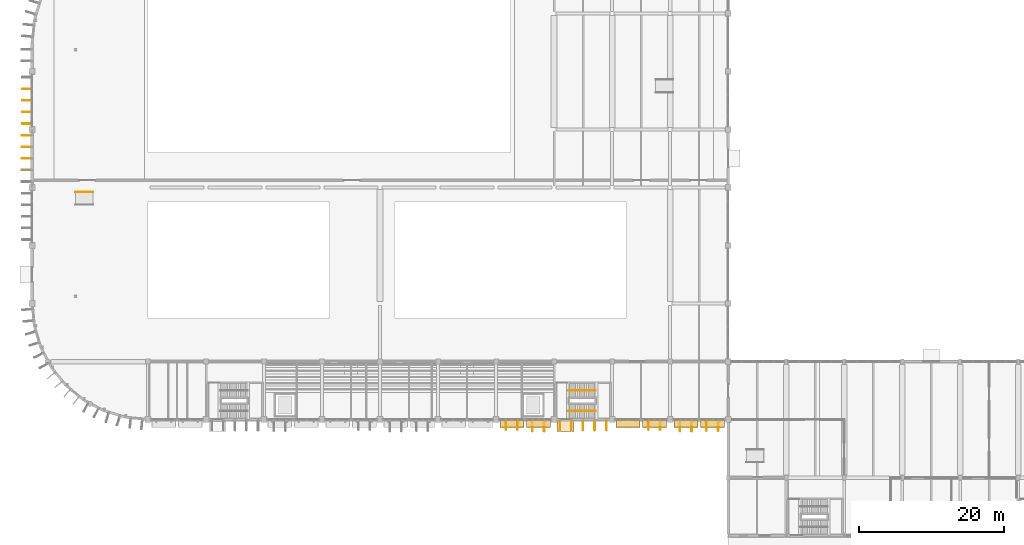
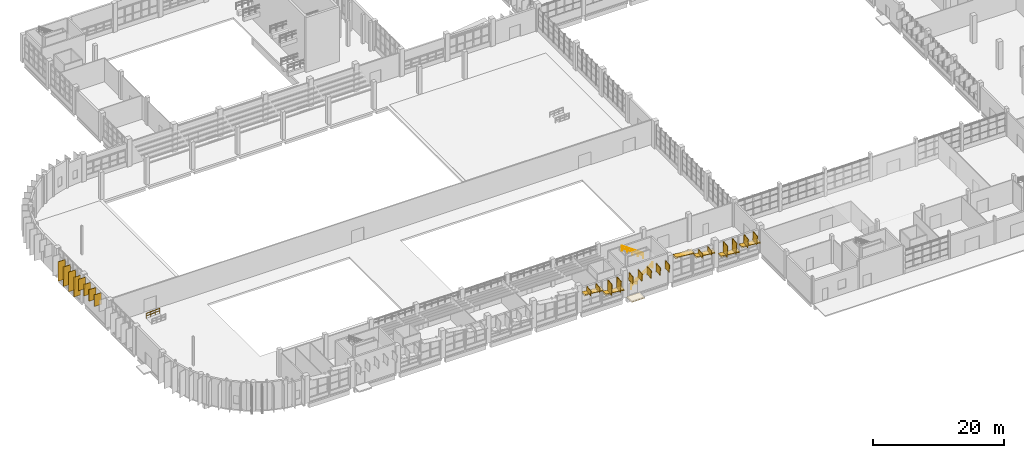
# One storey, part 95 of 103: 30 coverings, 28 shading devices, 3 railings.
"""IFC4 building model written with IfcOpenShell, lengths in metres."""

from ifc_helpers import new_model, si_unit, direction, frame, origin, origin_2d, place, context, subcontext, project, spatial, polyline, rectangle, circle, outline, extrude, material, layer, layer_set, type_object, element, save


model = new_model("IFC4")

# Units and contexts
model_context = context("Model", 3, precision=1e-05, world=origin(), true_north=direction((0.0, 1.0)))
body_context = subcontext(model_context, "Body", "Model", "MODEL_VIEW")
ifc_project = project(units=[si_unit("LENGTHUNIT", "METRE"), si_unit("AREAUNIT", "SQUARE_METRE"), si_unit("VOLUMEUNIT", "CUBIC_METRE"), si_unit("PLANEANGLEUNIT", "RADIAN"), si_unit("MASSUNIT", "GRAM", prefix="KILO")], contexts=[model_context])

# Site, building, storey
site_placement = place(None, origin())
site = spatial("IfcSite", under=ifc_project, at=site_placement, CompositionType="ELEMENT")
building_placement = place(site_placement, origin())
building = spatial("IfcBuilding", under=site, at=building_placement, Name="Drelvana Railside Aquatics Centre", CompositionType="ELEMENT")
storey_placement = place(building_placement, origin())
storey = spatial("IfcBuildingStorey", under=building, at=storey_placement, Name="L00", CompositionType="ELEMENT", Elevation=0.0)

# Coverings
ifc_material_1 = material(Name="Catalan trencadis polychrome ceramic mosaic cladding", Category="masonry")
ifc_layer_1 = layer(ifc_material_1, 0.044921875, Name="Catalan trencadis polychrome ceramic mosaic cladding")
ifc_layer_set_1 = layer_set([ifc_layer_1], Name="Catalan trencadis polychrome ceramic mosaic cladding")
covering_type_1 = type_object("IfcCoveringType", Name="COV-CLAD-TRENCADIS", PredefinedType="CLADDING", material=ifc_layer_set_1)
covering_placement = place(storey_placement, frame((0.0, 0.0, -0.2548828125)))
element("IfcCovering", 1, at=covering_placement, inside=storey, type_object=covering_type_1, Name="Threshold apron bedding trim 002", PredefinedType="CLADDING", context=body_context, shape_type="SweptSolid", body=[
    extrude(outline(polyline([(72.425048828125, 14.344970703125), (74.72509765625, 14.344970703125), (74.72509765625, 15.9951171875), (72.425048828125, 15.9951171875), (72.425048828125, 14.344970703125)])), origin(), (0.0, 0.0, 1.0), 0.044921875),
])
ifc_material_2 = material(Name="Bronze-anodised extruded aluminium 6063-T6", Category="aluminium")
ifc_layer_2 = layer(ifc_material_2, 0.074951171875, Name="Bronze-anodised extruded aluminium 6063-T6")
ifc_layer_set_2 = layer_set([ifc_layer_2], Name="Bronze-anodised extruded aluminium 6063-T6")
covering_type_2 = type_object("IfcCoveringType", Name="COV-EYELID-ALU", PredefinedType="CLADDING", material=ifc_layer_set_2)
for number, where, z_axis, x_axis, name in (
    (2, (66.169921875, 15.46484375, 3.3408203125), (0.0, -0.13052619222, 0.991444861374), (-1.0, 0.0, 0.0), "Sine-wave eyelid brow hood V1S-7.1"),
    (3, (69.830078125, 15.46484375, 2.15283203125), (0.0, -0.13052619222, 0.991444861374), (-1.0, 0.0, 0.0), "Sine-wave eyelid brow hood V1S-7.2"),
    (4, (82.169921875, 15.46484375, 4.6728515625), (0.0, -0.13052619222, 0.991444861374), (-1.0, 0.0, 0.0), "Sine-wave eyelid brow hood V1S-9.1"),
    (5, (85.830078125, 15.46484375, 3.48486328125), (0.0, -0.13052619222, 0.991444861374), (-1.0, 0.0, 0.0), "Sine-wave eyelid brow hood V1S-9.2"),
    (6, (90.169921875, 15.46484375, 2.10888671875), (0.0, -0.13052619222, 0.991444861374), (-1.0, 0.0, 0.0), "Sine-wave eyelid brow hood V1S-10.1"),
    (7, (93.830078125, 15.46484375, 2.56201171875), (0.0, -0.13052619222, 0.991444861374), (-1.0, 0.0, 0.0), "Sine-wave eyelid brow hood V1S-10.2"),
):
    element("IfcCovering", number, at=place(storey_placement, frame(where, z_axis=z_axis, x_axis=x_axis)), inside=storey, type_object=covering_type_2, Name=name, PredefinedType="CLADDING", context=body_context, shape_type="SweptSolid", body=[
        extrude(rectangle(XDim=3.340087890625, YDim=0.949951171875, at=origin_2d()), origin(), (0.0, 0.0, 1.0), 0.074951171875),
    ])
covering_type_3 = type_object("IfcCoveringType", Name="COV-FIN-ALU", PredefinedType="CLADDING", material=ifc_material_2)
for number, where, z_axis, x_axis, name in (
    (8, (65.3701171875, 15.2548828125, 3.33203125), (0.0, -0.13052619222, 0.991444861374), (-1.0, 0.0, 0.0), "Vertical aluminium fin cladding CF-0084"),
    (9, (66.969970703125, 15.2548828125, 3.33203125), (0.0, -0.13052619222, 0.991444861374), (-1.0, 0.0, 0.0), "Vertical aluminium fin cladding CF-0085"),
):
    element("IfcCovering", number, at=place(storey_placement, frame(where, z_axis=z_axis, x_axis=x_axis)), inside=storey, type_object=covering_type_3, Name=name, PredefinedType="CLADDING", context=body_context, shape_type="SweptSolid", body=[
        extrude(rectangle(XDim=0.0849609375, YDim=1.25, at=origin_2d()), origin(), (0.0, 0.0, 1.0), 0.97705078125),
    ])
for number, where, z_axis, x_axis, name in (
    (10, (69.030029296875, 15.255126953125, 2.149169921875), (0.0, -0.13052619222, 0.991444861374), (-1.0, 0.0, 0.0), "Vertical aluminium fin cladding CF-0087"),
    (11, (70.6298828125, 15.255126953125, 2.149169921875), (0.0, -0.13052619222, 0.991444861374), (-1.0, 0.0, 0.0), "Vertical aluminium fin cladding CF-0088"),
):
    element("IfcCovering", number, at=place(storey_placement, frame(where, z_axis=z_axis, x_axis=x_axis)), inside=storey, type_object=covering_type_3, Name=name, PredefinedType="CLADDING", context=body_context, shape_type="SweptSolid", body=[
        extrude(rectangle(XDim=0.0849609375, YDim=1.25, at=origin_2d()), origin(), (0.0, 0.0, 1.0), 2.1650390625),
    ])
for number, where, z_axis, x_axis, name in (
    (12, (72.800048828125, 15.27001953125, 2.85595703125), (0.0, -0.13052619222, 0.991444861374), (-1.0, 0.0, 0.0), "Vertical aluminium fin cladding CF-0100"),
    (13, (74.39990234375, 15.27001953125, 2.85595703125), (0.0, -0.13052619222, 0.991444861374), (-1.0, 0.0, 0.0), "Vertical aluminium fin cladding CF-0101"),
    (14, (76.0, 15.27001953125, 2.85595703125), (0.0, -0.13052619222, 0.991444861374), (-1.0, 0.0, 0.0), "Vertical aluminium fin cladding CF-0102"),
    (15, (77.60009765625, 15.27001953125, 2.85595703125), (0.0, -0.13052619222, 0.991444861374), (-1.0, 0.0, 0.0), "Vertical aluminium fin cladding CF-0103"),
    (16, (79.199951171875, 15.27001953125, 2.85595703125), (0.0, -0.13052619222, 0.991444861374), (-1.0, 0.0, 0.0), "Vertical aluminium fin cladding CF-0104"),
):
    element("IfcCovering", number, at=place(storey_placement, frame(where, z_axis=z_axis, x_axis=x_axis)), inside=storey, type_object=covering_type_3, Name=name, PredefinedType="CLADDING", context=body_context, shape_type="SweptSolid", body=[
        extrude(rectangle(XDim=0.0849609375, YDim=1.25, at=origin_2d()), origin(), (0.0, 0.0, 1.0), 1.455078125),
    ])
for number, where, z_axis, x_axis, name in (
    (17, (85.030029296875, 15.255126953125, 3.4755859375), (0.0, -0.13052619222, 0.991444861374), (-1.0, 0.0, 0.0), "Vertical aluminium fin cladding CF-0116"),
    (18, (86.6298828125, 15.255126953125, 3.4755859375), (0.0, -0.13052619222, 0.991444861374), (-1.0, 0.0, 0.0), "Vertical aluminium fin cladding CF-0117"),
):
    element("IfcCovering", number, at=place(storey_placement, frame(where, z_axis=z_axis, x_axis=x_axis)), inside=storey, type_object=covering_type_3, Name=name, PredefinedType="CLADDING", context=body_context, shape_type="SweptSolid", body=[
        extrude(rectangle(XDim=0.0849609375, YDim=1.25, at=origin_2d()), origin(), (0.0, 0.0, 1.0), 0.8330078125),
    ])
for number, where, z_axis, x_axis, name in (
    (19, (89.3701171875, 15.255126953125, 2.10546875), (0.0, -0.13052619222, 0.991444861374), (-1.0, 0.0, 0.0), "Vertical aluminium fin cladding CF-0129"),
    (20, (90.969970703125, 15.255126953125, 2.10546875), (0.0, -0.13052619222, 0.991444861374), (-1.0, 0.0, 0.0), "Vertical aluminium fin cladding CF-0130"),
):
    element("IfcCovering", number, at=place(storey_placement, frame(where, z_axis=z_axis, x_axis=x_axis)), inside=storey, type_object=covering_type_3, Name=name, PredefinedType="CLADDING", context=body_context, shape_type="SweptSolid", body=[
        extrude(rectangle(XDim=0.0849609375, YDim=1.25, at=origin_2d()), origin(), (0.0, 0.0, 1.0), 2.208984375),
    ])
for number, where, z_axis, x_axis, name in (
    (21, (93.030029296875, 15.2548828125, 2.556396484375), (0.0, -0.13052619222, 0.991444861374), (-1.0, 0.0, 0.0), "Vertical aluminium fin cladding CF-0132"),
    (22, (94.6298828125, 15.2548828125, 2.556396484375), (0.0, -0.13052619222, 0.991444861374), (-1.0, 0.0, 0.0), "Vertical aluminium fin cladding CF-0133"),
):
    element("IfcCovering", number, at=place(storey_placement, frame(where, z_axis=z_axis, x_axis=x_axis)), inside=storey, type_object=covering_type_3, Name=name, PredefinedType="CLADDING", context=body_context, shape_type="SweptSolid", body=[
        extrude(rectangle(XDim=0.0849609375, YDim=1.25, at=origin_2d()), origin(), (0.0, 0.0, 1.0), 1.756103515625),
    ])
for number, where, z_axis, x_axis, name in (
    (23, (-0.77490234375, 50.39990234375, 3.0), (0.0, 0.0, 1.0), (0.0, 1.0, 0.0), "Vertical aluminium fin cladding CF-0226"),
    (24, (-0.77490234375, 52.0, 3.0), (0.0, 0.0, 1.0), (0.0, 1.0, 0.0), "Vertical aluminium fin cladding CF-0227"),
    (25, (-0.77490234375, 53.60009765625, 3.0), (0.0, 0.0, 1.0), (0.0, 1.0, 0.0), "Vertical aluminium fin cladding CF-0228"),
    (26, (-0.77490234375, 55.199951171875, 3.0), (0.0, 0.0, 1.0), (0.0, 1.0, 0.0), "Vertical aluminium fin cladding CF-0229"),
):
    element("IfcCovering", number, at=place(storey_placement, frame(where, z_axis=z_axis, x_axis=x_axis)), inside=storey, type_object=covering_type_3, Name=name, PredefinedType="CLADDING", context=body_context, shape_type="SweptSolid", body=[
        extrude(rectangle(XDim=0.0849609375, YDim=1.25, at=origin_2d()), origin(), (0.0, 0.0, 1.0), 2.14990234375),
    ])
for number, where, z_axis, x_axis, name in (
    (27, (-0.669921875, 56.800048828125, 0.85009765625), (0.0, 0.0, 1.0), (0.0, 1.0, 0.0), "Vertical aluminium fin cladding CF-0245"),
    (28, (-0.669921875, 58.39990234375, 0.85009765625), (0.0, 0.0, 1.0), (0.0, 1.0, 0.0), "Vertical aluminium fin cladding CF-0246"),
    (29, (-0.669921875, 60.0, 0.85009765625), (0.0, 0.0, 1.0), (0.0, 1.0, 0.0), "Vertical aluminium fin cladding CF-0247"),
    (30, (-0.669921875, 61.60009765625, 0.85009765625), (0.0, 0.0, 1.0), (0.0, 1.0, 0.0), "Vertical aluminium fin cladding CF-0248"),
):
    element("IfcCovering", number, at=place(storey_placement, frame(where, z_axis=z_axis, x_axis=x_axis)), inside=storey, type_object=covering_type_3, Name=name, PredefinedType="CLADDING", context=body_context, shape_type="SweptSolid", body=[
        extrude(rectangle(XDim=0.0849609375, YDim=1.25, at=origin_2d()), origin(), (0.0, 0.0, 1.0), 3.64990234375),
    ])

# Railings
ifc_material_3 = material(Name="Brushed stainless steel stair pitch handrail", Category="steel")
railing_type = type_object("IfcRailingType", Name="RAL-HANDRAIL-950", PredefinedType="HANDRAIL", material=ifc_material_3)
railing_1_placement = place(storey_placement, frame((73.969970703125, 17.175048828125, 0.0)))
element("IfcRailing", 31, at=railing_1_placement, inside=storey, type_object=railing_type, Name="Stair ST-02 flight 1 handrail (L00)", PredefinedType="HANDRAIL", context=body_context, shape_type="SweptSolid", body=[
    extrude(circle(Radius=0.02392578125, at=origin_2d()), frame((0.0, 0.0, 0.92578125), z_axis=(0.811539352079, 0.0, 0.584297766578), x_axis=(0.0, 1.0, 0.0)), (0.0, 0.0, 1.0), 4.620849609375),
    extrude(circle(Radius=0.02392578125, at=origin_2d()), frame((0.0, 0.0, 0.47509765625), z_axis=(0.811539352079, 0.0, 0.584297766578), x_axis=(0.0, 1.0, 0.0)), (0.0, 0.0, 1.0), 4.620849609375),
    extrude(circle(Radius=0.02099609375, at=origin_2d()), origin(), (0.0, 0.0, 1.0), 0.90185546875),
    extrude(circle(Radius=0.02099609375, at=origin_2d()), frame((0.9375, 0.0, 0.675048828125)), (0.0, 0.0, 1.0), 0.90185546875),
    extrude(circle(Radius=0.02099609375, at=origin_2d()), frame((1.875, 0.0, 1.35009765625)), (0.0, 0.0, 1.0), 0.90185546875),
    extrude(circle(Radius=0.02099609375, at=origin_2d()), frame((2.8125, 0.0, 2.02490234375)), (0.0, 0.0, 1.0), 0.90185546875),
    extrude(circle(Radius=0.02099609375, at=origin_2d()), frame((3.75, 0.0, 2.699951171875)), (0.0, 0.0, 1.0), 0.90185546875),
])
railing_2_placement = place(storey_placement, frame((77.719970703125, 20.02490234375, 2.699951171875)))
element("IfcRailing", 32, at=railing_2_placement, inside=storey, type_object=railing_type, Name="Stair ST-02 flight 2 handrail (L00)", PredefinedType="HANDRAIL", context=body_context, shape_type="SweptSolid", body=[
    extrude(circle(Radius=0.02392578125, at=origin_2d()), frame((0.0, 0.0, 0.92578125), z_axis=(-0.811539352079, 0.0, 0.584297766578), x_axis=(0.0, -1.0, 0.0)), (0.0, 0.0, 1.0), 4.620849609375),
    extrude(circle(Radius=0.02392578125, at=origin_2d()), frame((0.0, 0.0, 0.47509765625), z_axis=(-0.811539352079, 0.0, 0.584297766578), x_axis=(0.0, -1.0, 0.0)), (0.0, 0.0, 1.0), 4.620849609375),
    extrude(circle(Radius=0.02099609375, at=origin_2d()), origin(), (0.0, 0.0, 1.0), 0.90185546875),
    extrude(circle(Radius=0.02099609375, at=origin_2d()), frame((-0.9375, 0.0, 0.675048828125)), (0.0, 0.0, 1.0), 0.90185546875),
    extrude(circle(Radius=0.02099609375, at=origin_2d()), frame((-1.875, 0.0, 1.35009765625)), (0.0, 0.0, 1.0), 0.90185546875),
    extrude(circle(Radius=0.02099609375, at=origin_2d()), frame((-2.8125, 0.0, 2.02490234375)), (0.0, 0.0, 1.0), 0.90185546875),
    extrude(circle(Radius=0.02099609375, at=origin_2d()), frame((-3.75, 0.0, 2.699951171875)), (0.0, 0.0, 1.0), 0.90185546875),
])
railing_3_placement = place(storey_placement, frame((6.0, 47.3798828125, 0.0)))
element("IfcRailing", 33, at=railing_3_placement, inside=storey, type_object=railing_type, Name="Accessible ramp handrail RMP-WC-POOL-W", PredefinedType="HANDRAIL", context=body_context, shape_type="SweptSolid", body=[
    extrude(circle(Radius=0.02392578125, at=origin_2d()), frame((0.0, 0.0, 0.92578125), z_axis=(0.998749803871, 0.0, 0.049988291303), x_axis=(0.0, 1.0, 0.0)), (0.0, 0.0, 1.0), 2.40283203125),
    extrude(circle(Radius=0.02392578125, at=origin_2d()), frame((0.0, 0.0, 0.47509765625), z_axis=(0.998749803871, 0.0, 0.049988291303), x_axis=(0.0, 1.0, 0.0)), (0.0, 0.0, 1.0), 2.40283203125),
    extrude(circle(Radius=0.02099609375, at=origin_2d()), origin(), (0.0, 0.0, 1.0), 0.90185546875),
    extrude(circle(Radius=0.02099609375, at=origin_2d()), frame((0.800048828125, 0.0, 0.0400390625)), (0.0, 0.0, 1.0), 0.90185546875),
    extrude(circle(Radius=0.02099609375, at=origin_2d()), frame((1.599853515625, 0.0, 0.080078125)), (0.0, 0.0, 1.0), 0.90185546875),
    extrude(circle(Radius=0.02099609375, at=origin_2d()), frame((2.39990234375, 0.0, 0.1201171875)), (0.0, 0.0, 1.0), 0.90185546875),
])

# Shading devices
ifc_layer_3 = layer(ifc_material_2, 0.06494140625, Name="Bronze-anodised extruded aluminium 6063-T6")
ifc_layer_set_3 = layer_set([ifc_layer_3], Name="Bronze-anodised extruded aluminium 6063-T6")
shading_device_type_1 = type_object("IfcShadingDeviceType", Name="SHD-EYELID-950", PredefinedType="JALOUSIE", material=ifc_layer_set_3)
for number, where, z_axis, x_axis, name in (
    (34, (66.165771484375, 15.4150390625, 3.345703125), (0.13052619222, 0.0, 0.991444861374), (0.0, -1.0, 0.0), "Sine-wave tilted eyelid louvre V1S-7.1"),
    (35, (69.825927734375, 15.4150390625, 2.15771484375), (0.13052619222, 0.0, 0.991444861374), (0.0, -1.0, 0.0), "Sine-wave tilted eyelid louvre V1S-7.2"),
    (36, (82.165771484375, 15.4150390625, 4.677734375), (0.13052619222, 0.0, 0.991444861374), (0.0, -1.0, 0.0), "Sine-wave tilted eyelid louvre V1S-9.1"),
    (37, (85.825927734375, 15.4150390625, 3.48974609375), (0.13052619222, 0.0, 0.991444861374), (0.0, -1.0, 0.0), "Sine-wave tilted eyelid louvre V1S-9.2"),
    (38, (90.165771484375, 15.4150390625, 2.11376953125), (0.13052619222, 0.0, 0.991444861374), (0.0, -1.0, 0.0), "Sine-wave tilted eyelid louvre V1S-10.1"),
    (39, (93.825927734375, 15.4150390625, 2.56689453125), (0.13052619222, 0.0, 0.991444861374), (0.0, -1.0, 0.0), "Sine-wave tilted eyelid louvre V1S-10.2"),
):
    element("IfcShadingDevice", number, at=place(storey_placement, frame(where, z_axis=z_axis, x_axis=x_axis)), inside=storey, type_object=shading_device_type_1, Name=name, PredefinedType="JALOUSIE", context=body_context, shape_type="SweptSolid", body=[
        extrude(rectangle(XDim=0.949951171875, YDim=3.300048828125, at=origin_2d()), origin(), (0.0, 0.0, 1.0), 0.06494140625),
    ])
shading_device_type_2 = type_object("IfcShadingDeviceType", Name="SHD-FIN-1250", PredefinedType="USERDEFINED", material=ifc_material_2)
for number, where, z_axis, x_axis, name in (
    (40, (65.3701171875, 15.235107421875, 3.327880859375), (0.0, 0.0, 1.0), (0.0, -1.0, 0.0), "Vertical bronze shading fin FN-0084"),
    (41, (66.969970703125, 15.235107421875, 3.327880859375), (0.0, 0.0, 1.0), (0.0, -1.0, 0.0), "Vertical bronze shading fin FN-0085"),
):
    element("IfcShadingDevice", number, at=place(storey_placement, frame(where, z_axis=z_axis, x_axis=x_axis)), inside=storey, type_object=shading_device_type_2, Name=name, ObjectType="FIN", PredefinedType="USERDEFINED", context=body_context, shape_type="SweptSolid", body=[
        extrude(rectangle(XDim=1.25, YDim=0.06494140625, at=origin_2d()), origin(), (0.0, 0.0, 1.0), 0.97705078125),
    ])
for number, where, z_axis, x_axis, name in (
    (42, (69.030029296875, 15.235107421875, 2.139892578125), (0.0, 0.0, 1.0), (0.0, -1.0, 0.0), "Vertical bronze shading fin FN-0087"),
    (43, (70.6298828125, 15.235107421875, 2.139892578125), (0.0, 0.0, 1.0), (0.0, -1.0, 0.0), "Vertical bronze shading fin FN-0088"),
):
    element("IfcShadingDevice", number, at=place(storey_placement, frame(where, z_axis=z_axis, x_axis=x_axis)), inside=storey, type_object=shading_device_type_2, Name=name, ObjectType="FIN", PredefinedType="USERDEFINED", context=body_context, shape_type="SweptSolid", body=[
        extrude(rectangle(XDim=1.25, YDim=0.06494140625, at=origin_2d()), origin(), (0.0, 0.0, 1.0), 2.1650390625),
    ])
for number, where, z_axis, x_axis, name in (
    (44, (72.800048828125, 15.25, 2.849853515625), (0.0, 0.0, 1.0), (0.0, -1.0, 0.0), "Vertical bronze shading fin FN-0100"),
    (45, (74.39990234375, 15.25, 2.849853515625), (0.0, 0.0, 1.0), (0.0, -1.0, 0.0), "Vertical bronze shading fin FN-0101"),
    (46, (76.0, 15.25, 2.849853515625), (0.0, 0.0, 1.0), (0.0, -1.0, 0.0), "Vertical bronze shading fin FN-0102"),
    (47, (77.60009765625, 15.25, 2.849853515625), (0.0, 0.0, 1.0), (0.0, -1.0, 0.0), "Vertical bronze shading fin FN-0103"),
    (48, (79.199951171875, 15.25, 2.849853515625), (0.0, 0.0, 1.0), (0.0, -1.0, 0.0), "Vertical bronze shading fin FN-0104"),
):
    element("IfcShadingDevice", number, at=place(storey_placement, frame(where, z_axis=z_axis, x_axis=x_axis)), inside=storey, type_object=shading_device_type_2, Name=name, ObjectType="FIN", PredefinedType="USERDEFINED", context=body_context, shape_type="SweptSolid", body=[
        extrude(rectangle(XDim=1.25, YDim=0.06494140625, at=origin_2d()), origin(), (0.0, 0.0, 1.0), 1.455078125),
    ])
for number, where, z_axis, x_axis, name in (
    (49, (85.030029296875, 15.235107421875, 3.471923828125), (0.0, 0.0, 1.0), (0.0, -1.0, 0.0), "Vertical bronze shading fin FN-0116"),
    (50, (86.6298828125, 15.235107421875, 3.471923828125), (0.0, 0.0, 1.0), (0.0, -1.0, 0.0), "Vertical bronze shading fin FN-0117"),
):
    element("IfcShadingDevice", number, at=place(storey_placement, frame(where, z_axis=z_axis, x_axis=x_axis)), inside=storey, type_object=shading_device_type_2, Name=name, ObjectType="FIN", PredefinedType="USERDEFINED", context=body_context, shape_type="SweptSolid", body=[
        extrude(rectangle(XDim=1.25, YDim=0.06494140625, at=origin_2d()), origin(), (0.0, 0.0, 1.0), 0.8330078125),
    ])
for number, where, z_axis, x_axis, name in (
    (51, (89.3701171875, 15.235107421875, 2.095947265625), (0.0, 0.0, 1.0), (0.0, -1.0, 0.0), "Vertical bronze shading fin FN-0129"),
    (52, (90.969970703125, 15.235107421875, 2.095947265625), (0.0, 0.0, 1.0), (0.0, -1.0, 0.0), "Vertical bronze shading fin FN-0130"),
):
    element("IfcShadingDevice", number, at=place(storey_placement, frame(where, z_axis=z_axis, x_axis=x_axis)), inside=storey, type_object=shading_device_type_2, Name=name, ObjectType="FIN", PredefinedType="USERDEFINED", context=body_context, shape_type="SweptSolid", body=[
        extrude(rectangle(XDim=1.25, YDim=0.06494140625, at=origin_2d()), origin(), (0.0, 0.0, 1.0), 2.208984375),
    ])
for number, where, z_axis, x_axis, name in (
    (53, (93.030029296875, 15.235107421875, 2.548828125), (0.0, 0.0, 1.0), (0.0, -1.0, 0.0), "Vertical bronze shading fin FN-0132"),
    (54, (94.6298828125, 15.235107421875, 2.548828125), (0.0, 0.0, 1.0), (0.0, -1.0, 0.0), "Vertical bronze shading fin FN-0133"),
):
    element("IfcShadingDevice", number, at=place(storey_placement, frame(where, z_axis=z_axis, x_axis=x_axis)), inside=storey, type_object=shading_device_type_2, Name=name, ObjectType="FIN", PredefinedType="USERDEFINED", context=body_context, shape_type="SweptSolid", body=[
        extrude(rectangle(XDim=1.25, YDim=0.06494140625, at=origin_2d()), origin(), (0.0, 0.0, 1.0), 1.756103515625),
    ])
for number, where, z_axis, x_axis, name in (
    (55, (-0.794921875, 52.0, 3.0), (0.0, 0.0, 1.0), (-1.0, 0.0, 0.0), "Vertical bronze shading fin FN-0234"),
    (56, (-0.794921875, 53.60009765625, 3.0), (0.0, 0.0, 1.0), (-1.0, 0.0, 0.0), "Vertical bronze shading fin FN-0235"),
    (57, (-0.794921875, 55.199951171875, 3.0), (0.0, 0.0, 1.0), (-1.0, 0.0, 0.0), "Vertical bronze shading fin FN-0236"),
):
    element("IfcShadingDevice", number, at=place(storey_placement, frame(where, z_axis=z_axis, x_axis=x_axis)), inside=storey, type_object=shading_device_type_2, Name=name, ObjectType="FIN", PredefinedType="USERDEFINED", context=body_context, shape_type="SweptSolid", body=[
        extrude(rectangle(XDim=1.25, YDim=0.06494140625, at=origin_2d()), origin(), (0.0, 0.0, 1.0), 2.14990234375),
    ])
for number, where, z_axis, x_axis, name in (
    (58, (-0.68994140625, 56.800048828125, 0.85009765625), (0.0, 0.0, 1.0), (-1.0, 0.0, 0.0), "Vertical bronze shading fin FN-0252"),
    (59, (-0.68994140625, 58.39990234375, 0.85009765625), (0.0, 0.0, 1.0), (-1.0, 0.0, 0.0), "Vertical bronze shading fin FN-0253"),
    (60, (-0.68994140625, 60.0, 0.85009765625), (0.0, 0.0, 1.0), (-1.0, 0.0, 0.0), "Vertical bronze shading fin FN-0254"),
    (61, (-0.68994140625, 61.60009765625, 0.85009765625), (0.0, 0.0, 1.0), (-1.0, 0.0, 0.0), "Vertical bronze shading fin FN-0255"),
):
    element("IfcShadingDevice", number, at=place(storey_placement, frame(where, z_axis=z_axis, x_axis=x_axis)), inside=storey, type_object=shading_device_type_2, Name=name, ObjectType="FIN", PredefinedType="USERDEFINED", context=body_context, shape_type="SweptSolid", body=[
        extrude(rectangle(XDim=1.25, YDim=0.06494140625, at=origin_2d()), origin(), (0.0, 0.0, 1.0), 3.64990234375),
    ])

save(model, "model.ifc")
